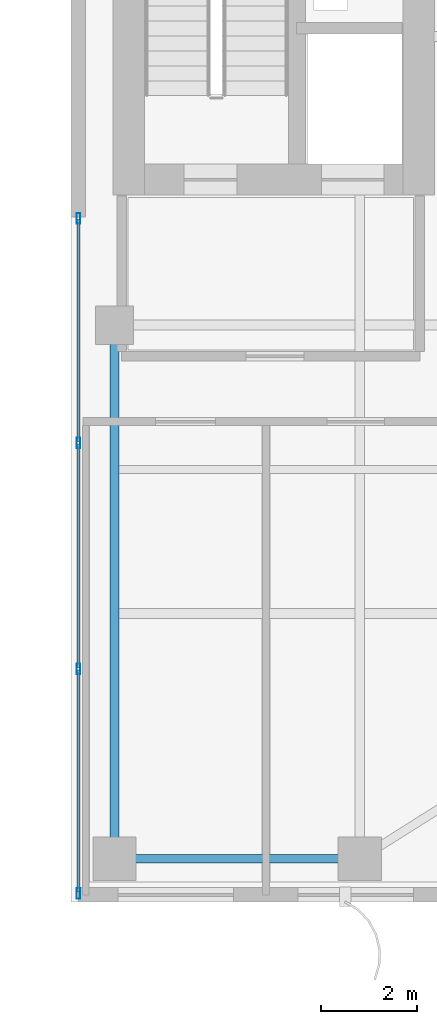
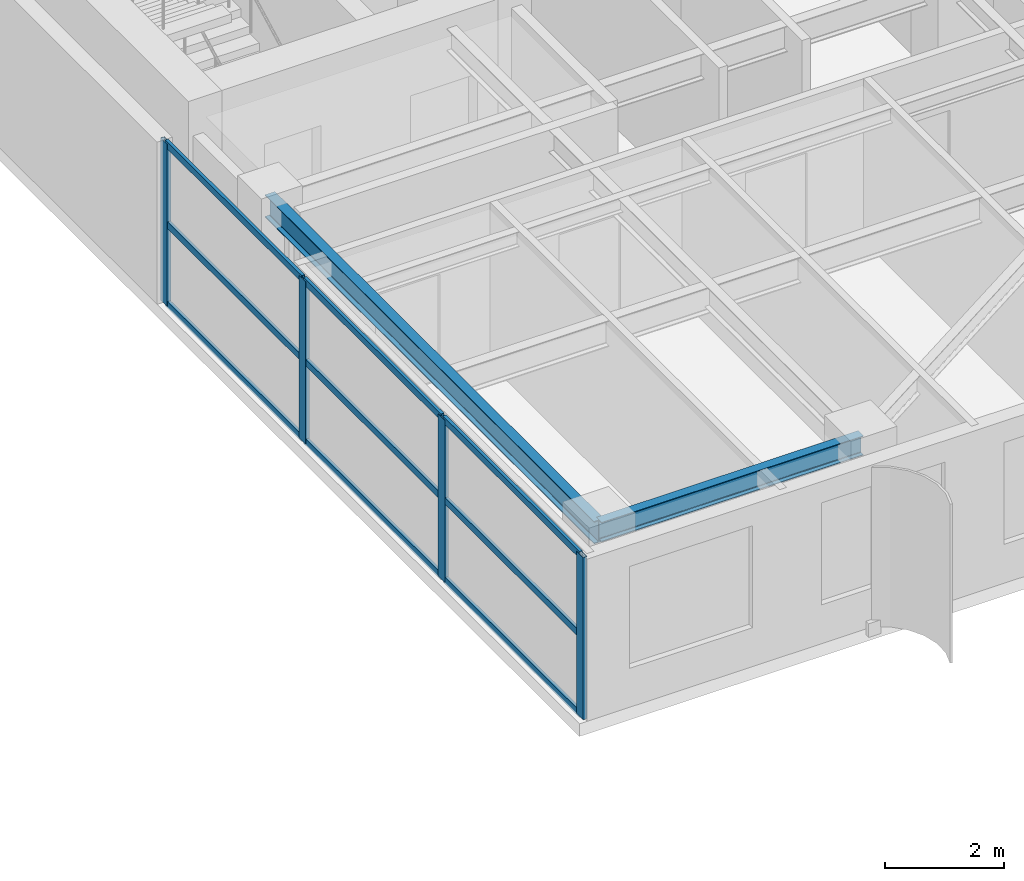
# One storey, part 5 of 22: 13 members, 2 beams, 1 element without a shape of its own.
"""IFC4 building model written with IfcOpenShell, lengths in metres."""

from ifc_helpers import new_model, si_unit, direction, frame, origin, origin_2d, place, context, subcontext, project, spatial, hollow_rectangle, i_section, extrude, source, transform, mapped, material, layer, layer_set, material_profile, profile_set, type_object, element, aggregate, save


model = new_model("IFC4")

# Units and contexts
model_context = context("Model", 3, precision=1e-05, world=origin(), true_north=direction((0.0, 1.0)))
body_context = subcontext(model_context, "Body", "Model", "MODEL_VIEW")
ifc_project = project(units=[si_unit("LENGTHUNIT", "METRE"), si_unit("AREAUNIT", "SQUARE_METRE"), si_unit("VOLUMEUNIT", "CUBIC_METRE"), si_unit("PLANEANGLEUNIT", "RADIAN"), si_unit("MASSUNIT", "GRAM", prefix="KILO")], contexts=[model_context])

# Site, building, storey
site_placement = place(None, origin())
site = spatial("IfcSite", under=ifc_project, at=site_placement, CompositionType="ELEMENT")
building_placement = place(site_placement, origin())
building = spatial("IfcBuilding", under=site, at=building_placement, Name="Khoralis Quay Care Tower", CompositionType="ELEMENT")
storey_placement = place(building_placement, frame((0.0, 0.0, 191.699951171875)))
storey = spatial("IfcBuildingStorey", under=building, at=storey_placement, Name="L50", CompositionType="ELEMENT", Elevation=191.699951171875)

# Beams
ifc_material_1 = material(Name="Steel S355", Category="steel")
ifc_material_profile_1 = material_profile(ifc_material_1, i_section(OverallWidth=0.179931640625, OverallDepth=0.39990234375, WebThickness=0.008544921875, FlangeThickness=0.013427734375, FilletRadius=0.02099609375, at=origin_2d()), Name="Steel S355")
ifc_profile_set_1 = profile_set([ifc_material_profile_1], Name="Steel S355")
beam_type_1 = type_object("IfcBeamType", Name="BM-IPE400", PredefinedType="SPANDREL", material=ifc_profile_set_1)
shared_shape_1 = source(origin(), body_context, "Body", "SweptSolid", [
    extrude(i_section(OverallWidth=0.179931640625, OverallDepth=0.39990234375, WebThickness=0.008544921875, FlangeThickness=0.013427734375, FilletRadius=0.02099609375, at=origin_2d()), origin(), (0.0, 0.0, 1.0), 5.10009765625),
])
beam_1_placement = place(storey_placement, frame((30.89990234375, 0.89990234375, 3.14013671875), z_axis=(1.0, 0.0, 0.0), x_axis=(0.0, 1.0, 0.0)))
element("IfcBeam", 1, at=beam_1_placement, inside=storey, type_object=beam_type_1, Name="BM-TSP-L50-02", PredefinedType="SPANDREL", context=body_context, shape_type="MappedRepresentation", body=[
    mapped(shared_shape_1, transform((0.0, 0.0, 0.0), scale=1.0)),
])
ifc_material_profile_2 = material_profile(ifc_material_1, i_section(OverallWidth=0.19189453125, OverallDepth=0.462890625, WebThickness=0.010498046875, FlangeThickness=0.017578125, FilletRadius=0.014892578125, at=origin_2d()), Name="Steel S355")
ifc_profile_set_2 = profile_set([ifc_material_profile_2], Name="Steel S355")
beam_type_2 = type_object("IfcBeamType", Name="BM-W460X89", PredefinedType="BEAM", material=ifc_profile_set_2)
shared_shape_2 = source(origin(), body_context, "Body", "SweptSolid", [
    extrude(i_section(OverallWidth=0.19189453125, OverallDepth=0.462890625, WebThickness=0.010498046875, FlangeThickness=0.017578125, FilletRadius=0.014892578125, at=origin_2d()), origin(), (0.0, 0.0, 1.0), 11.10009765625),
])
beam_2_placement = place(storey_placement, frame((30.89990234375, 0.89990234375, 3.108642578125), z_axis=(0.0, 1.0, 0.0), x_axis=(-1.0, 0.0, 0.0)))
element("IfcBeam", 2, at=beam_2_placement, inside=storey, type_object=beam_type_2, Name="BM-TGYS-L50-309", PredefinedType="BEAM", context=body_context, shape_type="MappedRepresentation", body=[
    mapped(shared_shape_2, transform((0.0, 0.0, 0.0), scale=1.0)),
])

# Curtain wall, members
ifc_material_2 = material(Name="Pale anodised aluminium", Category="aluminium")
ifc_layer = layer(ifc_material_2, 0.18994140625)
ifc_layer_set = layer_set([ifc_layer], Name="Pale anodised aluminium")
curtain_wall_type = type_object("IfcCurtainWallType", Name="CW-SYS-PORTAL", PredefinedType="NOTDEFINED", material=ifc_layer_set)
curtain_wall_placement = place(storey_placement, origin())
curtain_wall = element("IfcCurtainWall", 3, at=curtain_wall_placement, inside=storey, type_object=curtain_wall_type, Name="L50 Unitised Curtain Wall CW-VP-L50-P2-S", PredefinedType="NOTDEFINED")
ifc_material_profile_3 = material_profile(ifc_material_2, hollow_rectangle(XDim=0.074951171875, YDim=0.219970703125, WallThickness=0.00390625, at=origin_2d()), Name="Pale anodised aluminium")
ifc_profile_set_3 = profile_set([ifc_material_profile_3], Name="Pale anodised aluminium")
member_type_1 = type_object("IfcMemberType", Name="CW-MUL-220", PredefinedType="MULLION", material=ifc_profile_set_3)
shared_shape_3 = source(origin(), body_context, "Body", "SweptSolid", [
    extrude(hollow_rectangle(XDim=0.074951171875, YDim=0.219970703125, WallThickness=0.00390625, at=origin_2d()), origin(), (0.0, 0.0, 1.0), 3.340087890625),
])
member_1_placement = place(storey_placement, frame((30.14990234375, 0.179931640625, 0.0), z_axis=(0.0, 0.0, 1.0), x_axis=(-1.0, 0.0, 0.0)))
member_1 = element("IfcMember", 4, at=member_1_placement, type_object=member_type_1, Name="CW4 mullion 1", PredefinedType="MULLION", context=body_context, shape_type="MappedRepresentation", body=[
    mapped(shared_shape_3, transform((0.0, 0.0, 0.0), scale=1.0)),
])
member_2_placement = place(storey_placement, frame((30.14990234375, 4.85009765625, 0.0), z_axis=(0.0, 0.0, 1.0), x_axis=(-1.0, 0.0, 0.0)))
member_2 = element("IfcMember", 5, at=member_2_placement, type_object=member_type_1, Name="CW4 mullion 2", PredefinedType="MULLION", context=body_context, shape_type="MappedRepresentation", body=[
    mapped(shared_shape_3, transform((0.0, 0.0, 0.0), scale=1.0)),
])
member_3_placement = place(storey_placement, frame((30.14990234375, 9.550048828125, 0.0), z_axis=(0.0, 0.0, 1.0), x_axis=(-1.0, 0.0, 0.0)))
member_3 = element("IfcMember", 6, at=member_3_placement, type_object=member_type_1, Name="CW4 mullion 3", PredefinedType="MULLION", context=body_context, shape_type="MappedRepresentation", body=[
    mapped(shared_shape_3, transform((0.0, 0.0, 0.0), scale=1.0)),
])
member_4_placement = place(storey_placement, frame((30.14990234375, 14.219970703125, 0.0), z_axis=(0.0, 0.0, 1.0), x_axis=(-1.0, 0.0, 0.0)))
member_4 = element("IfcMember", 7, at=member_4_placement, type_object=member_type_1, Name="CW4 mullion 4", PredefinedType="MULLION", context=body_context, shape_type="MappedRepresentation", body=[
    mapped(shared_shape_3, transform((0.0, 0.0, 0.0), scale=1.0)),
])
ifc_material_profile_4 = material_profile(ifc_material_2, hollow_rectangle(XDim=0.06005859375, YDim=0.139892578125, WallThickness=0.00390625, at=origin_2d()), Name="Pale anodised aluminium")
ifc_profile_set_4 = profile_set([ifc_material_profile_4], Name="Pale anodised aluminium")
member_type_2 = type_object("IfcMemberType", Name="CW-TRN-140", PredefinedType="USERDEFINED", material=ifc_profile_set_4)
shared_shape_4 = source(origin(), body_context, "Body", "SweptSolid", [
    extrude(hollow_rectangle(XDim=0.06005859375, YDim=0.139892578125, WallThickness=0.00390625, at=origin_2d()), origin(), (0.0, 0.0, 1.0), 4.610107421875),
])
member_5_placement = place(storey_placement, frame((30.14990234375, 0.2099609375, 0.030029296875), z_axis=(0.0, 1.0, 0.0), x_axis=(-1.0, 0.0, 0.0)))
member_5 = element("IfcMember", 8, at=member_5_placement, type_object=member_type_2, Name="CW4 transom 1.1", ObjectType="TRANSOM", PredefinedType="USERDEFINED", context=body_context, shape_type="MappedRepresentation", body=[
    mapped(shared_shape_4, transform((0.0, 0.0, 0.0), scale=1.0)),
])
member_6_placement = place(storey_placement, frame((30.14990234375, 0.2099609375, 1.670166015625), z_axis=(0.0, 1.0, 0.0), x_axis=(-1.0, 0.0, 0.0)))
member_6 = element("IfcMember", 9, at=member_6_placement, type_object=member_type_2, Name="CW4 transom 1.2", ObjectType="TRANSOM", PredefinedType="USERDEFINED", context=body_context, shape_type="MappedRepresentation", body=[
    mapped(shared_shape_4, transform((0.0, 0.0, 0.0), scale=1.0)),
])
member_7_placement = place(storey_placement, frame((30.14990234375, 0.2099609375, 3.31005859375), z_axis=(0.0, 1.0, 0.0), x_axis=(-1.0, 0.0, 0.0)))
member_7 = element("IfcMember", 10, at=member_7_placement, type_object=member_type_2, Name="CW4 transom 1.3", ObjectType="TRANSOM", PredefinedType="USERDEFINED", context=body_context, shape_type="MappedRepresentation", body=[
    mapped(shared_shape_4, transform((0.0, 0.0, 0.0), scale=1.0)),
])
shared_shape_5 = source(origin(), body_context, "Body", "SweptSolid", [
    extrude(hollow_rectangle(XDim=0.06005859375, YDim=0.139892578125, WallThickness=0.00390625, at=origin_2d()), origin(), (0.0, 0.0, 1.0), 4.64013671875),
])
member_8_placement = place(storey_placement, frame((30.14990234375, 4.8798828125, 0.030029296875), z_axis=(0.0, 1.0, 0.0), x_axis=(-1.0, 0.0, 0.0)))
member_8 = element("IfcMember", 11, at=member_8_placement, type_object=member_type_2, Name="CW4 transom 2.1", ObjectType="TRANSOM", PredefinedType="USERDEFINED", context=body_context, shape_type="MappedRepresentation", body=[
    mapped(shared_shape_5, transform((0.0, 0.0, 0.0), scale=1.0)),
])
member_9_placement = place(storey_placement, frame((30.14990234375, 4.8798828125, 1.670166015625), z_axis=(0.0, 1.0, 0.0), x_axis=(-1.0, 0.0, 0.0)))
member_9 = element("IfcMember", 12, at=member_9_placement, type_object=member_type_2, Name="CW4 transom 2.2", ObjectType="TRANSOM", PredefinedType="USERDEFINED", context=body_context, shape_type="MappedRepresentation", body=[
    mapped(shared_shape_5, transform((0.0, 0.0, 0.0), scale=1.0)),
])
member_10_placement = place(storey_placement, frame((30.14990234375, 4.8798828125, 3.31005859375), z_axis=(0.0, 1.0, 0.0), x_axis=(-1.0, 0.0, 0.0)))
member_10 = element("IfcMember", 13, at=member_10_placement, type_object=member_type_2, Name="CW4 transom 2.3", ObjectType="TRANSOM", PredefinedType="USERDEFINED", context=body_context, shape_type="MappedRepresentation", body=[
    mapped(shared_shape_5, transform((0.0, 0.0, 0.0), scale=1.0)),
])
shared_shape_6 = source(origin(), body_context, "Body", "SweptSolid", [
    extrude(hollow_rectangle(XDim=0.06005859375, YDim=0.139892578125, WallThickness=0.00390625, at=origin_2d()), origin(), (0.0, 0.0, 1.0), 4.60986328125),
])
member_11_placement = place(storey_placement, frame((30.14990234375, 9.580078125, 0.030029296875), z_axis=(0.0, 1.0, 0.0), x_axis=(-1.0, 0.0, 0.0)))
member_11 = element("IfcMember", 14, at=member_11_placement, type_object=member_type_2, Name="CW4 transom 3.1", ObjectType="TRANSOM", PredefinedType="USERDEFINED", context=body_context, shape_type="MappedRepresentation", body=[
    mapped(shared_shape_6, transform((0.0, 0.0, 0.0), scale=1.0)),
])
member_12_placement = place(storey_placement, frame((30.14990234375, 9.580078125, 1.670166015625), z_axis=(0.0, 1.0, 0.0), x_axis=(-1.0, 0.0, 0.0)))
member_12 = element("IfcMember", 15, at=member_12_placement, type_object=member_type_2, Name="CW4 transom 3.2", ObjectType="TRANSOM", PredefinedType="USERDEFINED", context=body_context, shape_type="MappedRepresentation", body=[
    mapped(shared_shape_6, transform((0.0, 0.0, 0.0), scale=1.0)),
])
member_13_placement = place(storey_placement, frame((30.14990234375, 9.580078125, 3.31005859375), z_axis=(0.0, 1.0, 0.0), x_axis=(-1.0, 0.0, 0.0)))
member_13 = element("IfcMember", 16, at=member_13_placement, type_object=member_type_2, Name="CW4 transom 3.3", ObjectType="TRANSOM", PredefinedType="USERDEFINED", context=body_context, shape_type="MappedRepresentation", body=[
    mapped(shared_shape_6, transform((0.0, 0.0, 0.0), scale=1.0)),
])
aggregate(curtain_wall, [member_1, member_2, member_3, member_4, member_5, member_6, member_7, member_8, member_9, member_10, member_11, member_12, member_13])

save(model, "model.ifc")
